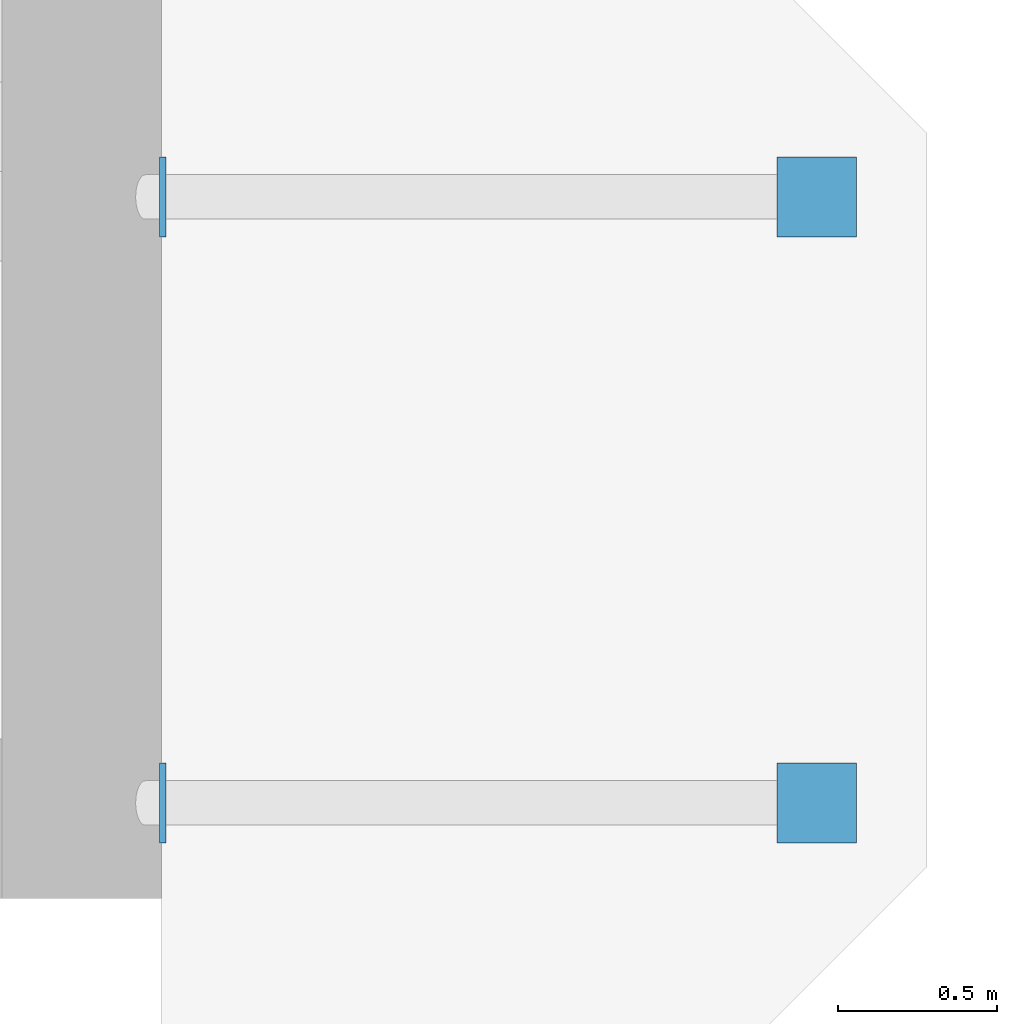
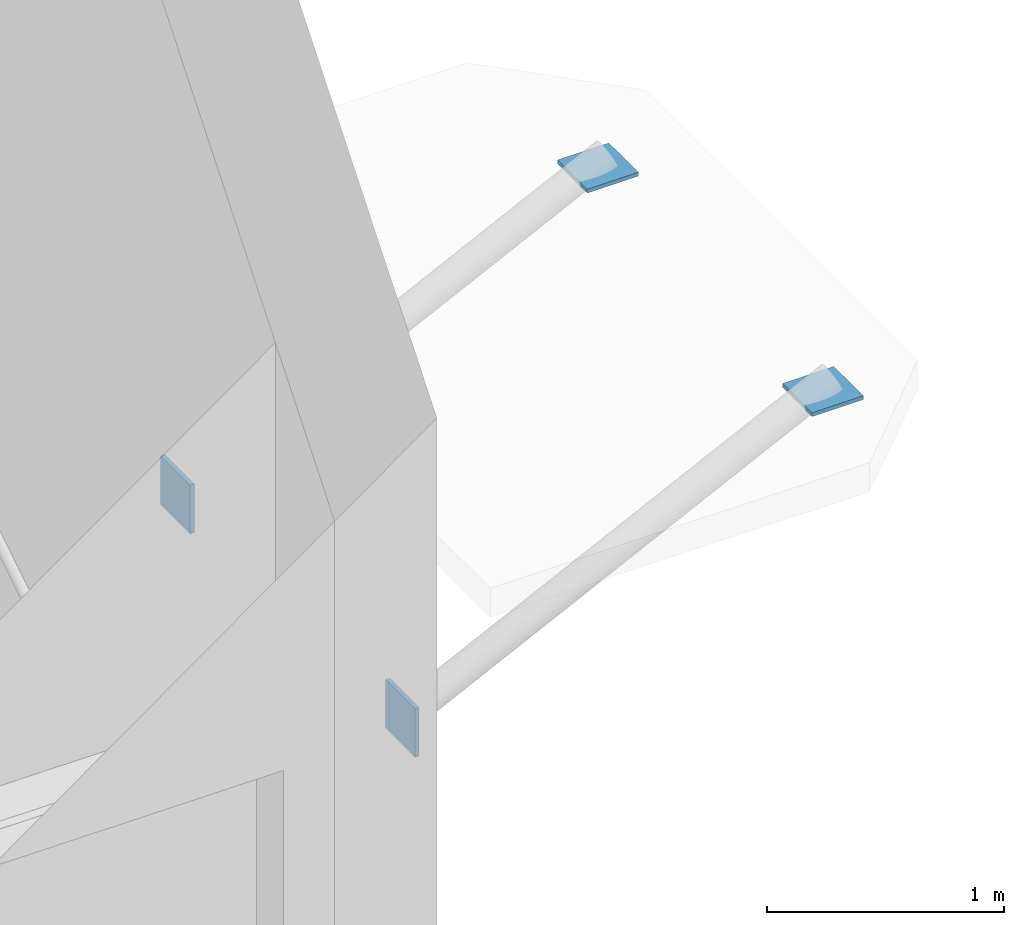
# One storey, part 61 of 71: 4 discrete accessories.
"""IFC4 building model written with IfcOpenShell, lengths in metres."""

from ifc_helpers import new_model, si_unit, direction, frame, origin, origin_2d, place, context, subcontext, project, spatial, rectangle, extrude, material, type_object, element, save


model = new_model("IFC4")

# Units and contexts
model_context = context("Model", 3, precision=1e-05, world=origin(), true_north=direction((0.0, 1.0)))
body_context = subcontext(model_context, "Body", "Model", "MODEL_VIEW")
ifc_project = project(units=[si_unit("LENGTHUNIT", "METRE"), si_unit("AREAUNIT", "SQUARE_METRE"), si_unit("VOLUMEUNIT", "CUBIC_METRE"), si_unit("PLANEANGLEUNIT", "RADIAN"), si_unit("MASSUNIT", "GRAM", prefix="KILO")], contexts=[model_context])

# Site, building, storey
site_placement = place(None, origin())
site = spatial("IfcSite", under=ifc_project, at=site_placement, CompositionType="ELEMENT")
building_placement = place(site_placement, origin())
building = spatial("IfcBuilding", under=site, at=building_placement, Name="Basin Gate Institute", CompositionType="ELEMENT")
storey_placement = place(building_placement, origin())
storey = spatial("IfcBuildingStorey", under=building, at=storey_placement, Name="L00", CompositionType="ELEMENT", Elevation=0.0)

# Discrete accessories
ifc_material = material(Name="Structural steel SN490", Category="steel")
discrete_accessory_type = type_object("IfcDiscreteAccessoryType", Name="Brace end plate BP250", PredefinedType="BRACKET", material=ifc_material)
discrete_accessory_1_placement = place(storey_placement, frame((119.053955078125, 35.14990234375, 1.80126953125), z_axis=(0.0, 0.0, 1.0), x_axis=(1.0, 0.0, 0.0)))
element("IfcDiscreteAccessory", 1, at=discrete_accessory_1_placement, inside=storey, type_object=discrete_accessory_type, material=ifc_material, Name="Canopy strut ES 1 end plate 1", PredefinedType="BRACKET", context=body_context, shape_type="SweptSolid", body=[
    extrude(rectangle(XDim=0.02001953125, YDim=0.25, at=origin_2d()), origin(), (0.0, 0.0, 1.0), 0.25),
])
discrete_accessory_2_placement = place(storey_placement, frame((121.10498046875, 35.14990234375, 2.8798828125), z_axis=(0.0, 0.0, 1.0), x_axis=(1.0, 0.0, 0.0)))
element("IfcDiscreteAccessory", 2, at=discrete_accessory_2_placement, inside=storey, type_object=discrete_accessory_type, material=ifc_material, Name="Canopy strut ES 1 end plate 2", PredefinedType="BRACKET", context=body_context, shape_type="SweptSolid", body=[
    extrude(rectangle(XDim=0.25, YDim=0.25, at=origin_2d()), origin(), (0.0, 0.0, 1.0), 0.02001953125),
])
discrete_accessory_3_placement = place(storey_placement, frame((119.053955078125, 37.050048828125, 1.80126953125), z_axis=(0.0, 0.0, 1.0), x_axis=(1.0, 0.0, 0.0)))
element("IfcDiscreteAccessory", 3, at=discrete_accessory_3_placement, inside=storey, type_object=discrete_accessory_type, material=ifc_material, Name="Canopy strut ES 2 end plate 1", PredefinedType="BRACKET", context=body_context, shape_type="SweptSolid", body=[
    extrude(rectangle(XDim=0.02001953125, YDim=0.25, at=origin_2d()), origin(), (0.0, 0.0, 1.0), 0.25),
])
discrete_accessory_4_placement = place(storey_placement, frame((121.10498046875, 37.050048828125, 2.8798828125), z_axis=(0.0, 0.0, 1.0), x_axis=(1.0, 0.0, 0.0)))
element("IfcDiscreteAccessory", 4, at=discrete_accessory_4_placement, inside=storey, type_object=discrete_accessory_type, material=ifc_material, Name="Canopy strut ES 2 end plate 2", PredefinedType="BRACKET", context=body_context, shape_type="SweptSolid", body=[
    extrude(rectangle(XDim=0.25, YDim=0.25, at=origin_2d()), origin(), (0.0, 0.0, 1.0), 0.02001953125),
])

save(model, "model.ifc")
